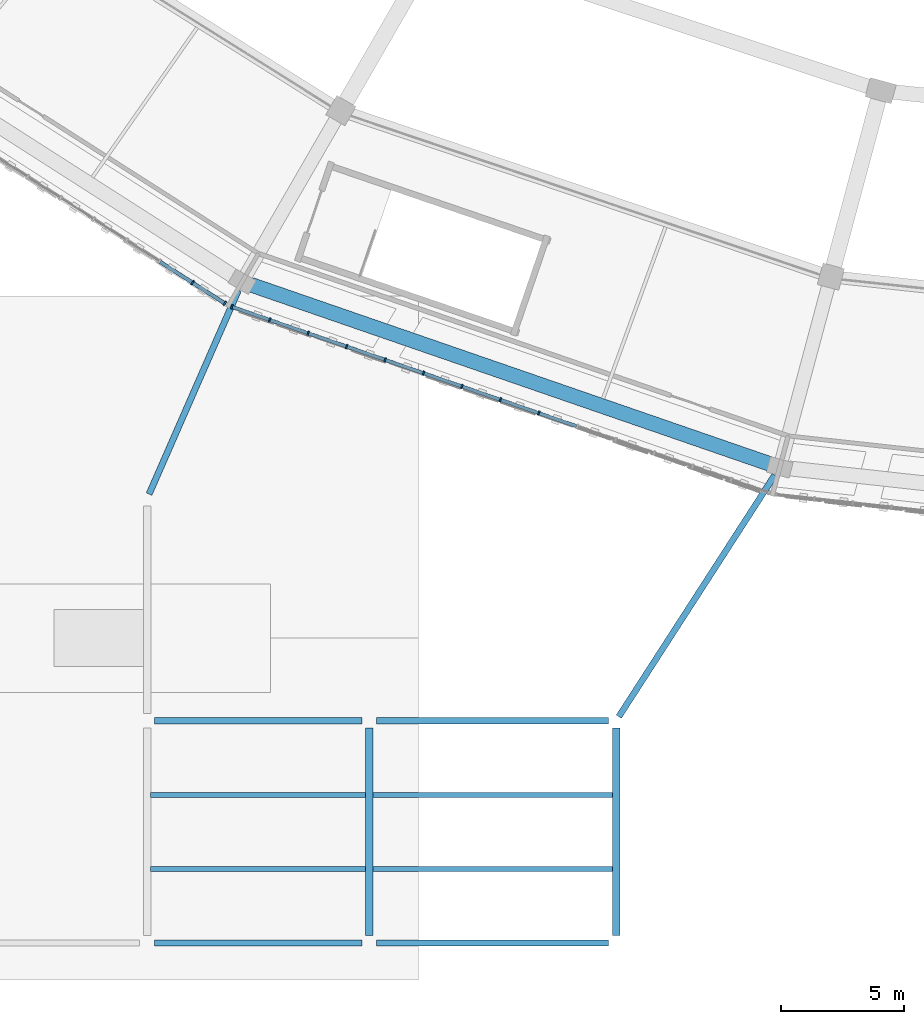
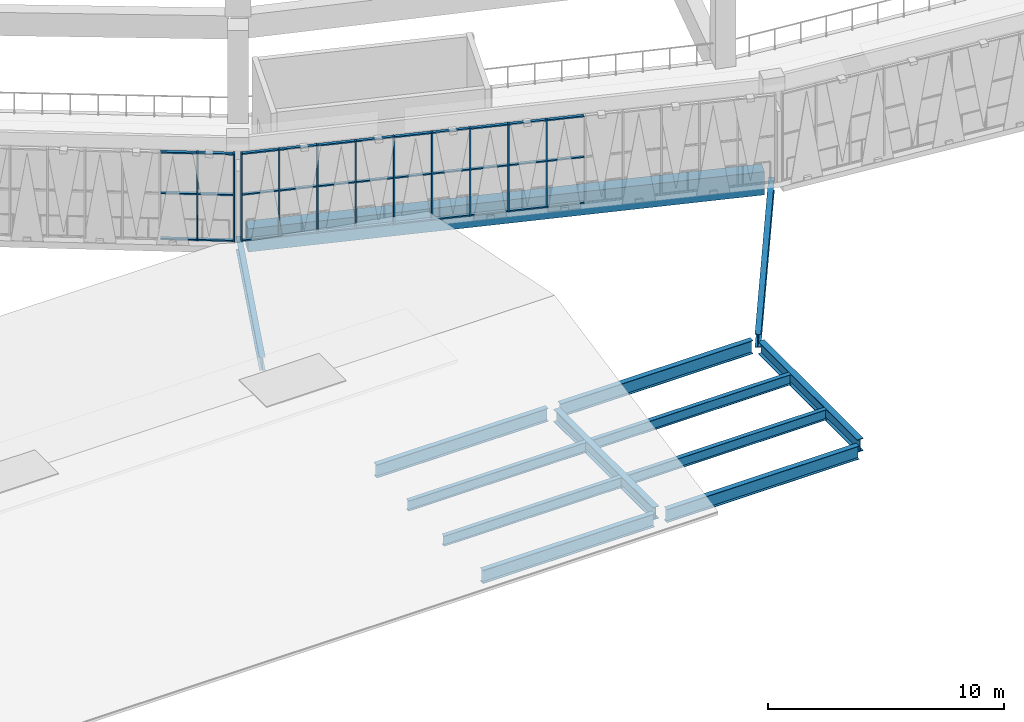
# One storey, part 7 of 108: 44 members, 13 beams, 2 elements without a shape of their own.
"""IFC4 building model written with IfcOpenShell, lengths in metres."""

from ifc_helpers import new_model, si_unit, direction, frame, origin, origin_2d, place, context, subcontext, project, spatial, rectangle, i_section, extrude, material, material_profile, profile_set, type_object, element, aggregate, save


model = new_model("IFC4")

# Units and contexts
model_context = context("Model", 3, precision=1e-05, world=origin(), true_north=direction((0.0, 1.0)))
body_context = subcontext(model_context, "Body", "Model", "MODEL_VIEW")
ifc_project = project(units=[si_unit("LENGTHUNIT", "METRE"), si_unit("AREAUNIT", "SQUARE_METRE"), si_unit("VOLUMEUNIT", "CUBIC_METRE"), si_unit("PLANEANGLEUNIT", "RADIAN"), si_unit("MASSUNIT", "GRAM", prefix="KILO")], contexts=[model_context])

# Site, building, storey
site_placement = place(None, origin())
site = spatial("IfcSite", under=ifc_project, at=site_placement, CompositionType="ELEMENT")
building_placement = place(site_placement, origin())
building = spatial("IfcBuilding", under=site, at=building_placement, Name="Zevraka Park Crest Stadium", CompositionType="ELEMENT")
storey_placement = place(building_placement, frame((0.0, 0.0, 19.800048828125)))
storey = spatial("IfcBuildingStorey", under=building, at=storey_placement, Name="L04", CompositionType="ELEMENT", Elevation=19.800048828125)

# Beams
ifc_material_1 = material(Name="Steel S355", Category="steel")
ifc_material_profile_1 = material_profile(ifc_material_1, i_section(OverallWidth=0.253662109375, OverallDepth=0.68359375, WebThickness=0.012451171875, FlangeThickness=0.01904296875, at=origin_2d()), Name="UKB 686x254x140")
ifc_profile_set_1 = profile_set([ifc_material_profile_1], Name="Steel S355")
beam_type_1 = type_object("IfcBeamType", Name="BG05", PredefinedType="BEAM", material=ifc_profile_set_1)
for number, where, z_axis, x_axis, name in (
    (1, (63.300048828125, 0.0, -0.60986328125), (1.0, 0.0, 0.0), (0.0, 1.0, 0.0), "Wing Girder BG05 L04-89/A"),
    (2, (63.300048828125, 9.0, -0.60986328125), (1.0, 0.0, 0.0), (0.0, 1.0, 0.0), "Wing Girder BG05 L04-89/B"),
):
    element("IfcBeam", number, at=place(storey_placement, frame(where, z_axis=z_axis, x_axis=x_axis)), inside=storey, type_object=beam_type_1, Name=name, PredefinedType="BEAM", context=body_context, shape_type="SweptSolid", body=[
        extrude(i_section(OverallWidth=0.253662109375, OverallDepth=0.68359375, WebThickness=0.012451171875, FlangeThickness=0.01904296875, at=origin_2d()), origin(), (0.0, 0.0, 1.0), 8.39990234375),
    ])
beam_1_placement = place(storey_placement, frame((63.080078125, 18.18310546875, -0.60986328125), z_axis=(0.401335913167, 0.915930938883, 0.0), x_axis=(-0.915930938883, 0.401335913167, 0.0)))
element("IfcBeam", 3, at=beam_1_placement, inside=storey, type_object=beam_type_1, Name="Wing Link Girder BG05 L04-8/C", PredefinedType="BEAM", context=body_context, shape_type="SweptSolid", body=[
    extrude(i_section(OverallWidth=0.253662109375, OverallDepth=0.68359375, WebThickness=0.012451171875, FlangeThickness=0.01904296875, at=origin_2d()), origin(), (0.0, 0.0, 1.0), 9.0146484375),
])
for number, where, z_axis, x_axis, name in (
    (4, (72.300048828125, 0.0, -0.60986328125), (1.0, 0.0, 0.0), (0.0, 1.0, 0.0), "Wing Girder BG05 L04-910/A"),
    (5, (72.300048828125, 9.0, -0.60986328125), (1.0, 0.0, 0.0), (0.0, 1.0, 0.0), "Wing Girder BG05 L04-910/B"),
):
    element("IfcBeam", number, at=place(storey_placement, frame(where, z_axis=z_axis, x_axis=x_axis)), inside=storey, type_object=beam_type_1, Name=name, PredefinedType="BEAM", context=body_context, shape_type="SweptSolid", body=[
        extrude(i_section(OverallWidth=0.253662109375, OverallDepth=0.68359375, WebThickness=0.012451171875, FlangeThickness=0.01904296875, at=origin_2d()), origin(), (0.0, 0.0, 1.0), 9.39990234375),
    ])
beam_2_placement = place(storey_placement, frame((82.10791015625, 9.16796875, -0.60986328125), z_axis=(0.542497990174, 0.840057099641, 0.0), x_axis=(-0.840057099641, 0.542497990174, 0.0)))
element("IfcBeam", 6, at=beam_2_placement, inside=storey, type_object=beam_type_1, Name="Wing Link Girder BG05 L04-10/B", PredefinedType="BEAM", context=body_context, shape_type="SweptSolid", body=[
    extrude(i_section(OverallWidth=0.253662109375, OverallDepth=0.68359375, WebThickness=0.012451171875, FlangeThickness=0.01904296875, at=origin_2d()), origin(), (0.0, 0.0, 1.0), 11.640869140625),
])
ifc_material_2 = material(Name="Steel S355", Category="steel")
ifc_material_profile_2 = material_profile(ifc_material_2, i_section(OverallWidth=0.300048828125, OverallDepth=0.64990234375, WebThickness=0.01611328125, FlangeThickness=0.031005859375, at=origin_2d()), Name="HEB 650")
ifc_profile_set_2 = profile_set([ifc_material_profile_2], Name="Steel S355")
beam_type_2 = type_object("IfcBeamType", Name="BG07", PredefinedType="BEAM", material=ifc_profile_set_2)
for number, where, z_axis, x_axis, name in (
    (7, (72.0, 0.300048828125, -0.593017578125), (0.0, 1.0, 0.0), (-1.0, 0.0, 0.0), "Wing Girder BG07 L04-9/AB"),
    (8, (82.0, 0.300048828125, -0.593017578125), (0.0, 1.0, 0.0), (-1.0, 0.0, 0.0), "Wing Girder BG07 L04-10/AB"),
):
    element("IfcBeam", number, at=place(storey_placement, frame(where, z_axis=z_axis, x_axis=x_axis)), inside=storey, type_object=beam_type_2, Name=name, PredefinedType="BEAM", context=body_context, shape_type="SweptSolid", body=[
        extrude(i_section(OverallWidth=0.300048828125, OverallDepth=0.64990234375, WebThickness=0.01611328125, FlangeThickness=0.031005859375, at=origin_2d()), origin(), (0.0, 0.0, 1.0), 8.39990234375),
    ])

# Curtain wall, members
ifc_material_3 = material(Name="Anodised architectural aluminium and laminated safety glass", Category="aluminium")
curtain_wall_type_1 = type_object("IfcCurtainWallType", Name="CW17", PredefinedType="NOTDEFINED", material=ifc_material_3)
curtain_wall_1_placement = place(storey_placement, origin())
curtain_wall_1 = element("IfcCurtainWall", 9, at=curtain_wall_1_placement, inside=storey, type_object=curtain_wall_type_1, Name="Unitised Ring Curtain Wall CW17 L04-16", PredefinedType="NOTDEFINED")
ifc_material_4 = material(Name="Anodised architectural aluminium", Category="aluminium")
ifc_material_profile_3 = material_profile(ifc_material_4, rectangle(XDim=0.179931640625, YDim=0.06494140625, at=origin_2d()), Name="ALU MULLION 180x65")
ifc_profile_set_3 = profile_set([ifc_material_profile_3], Name="Anodised architectural aluminium")
member_type_1 = type_object("IfcMemberType", Name="CM02", PredefinedType="MULLION", material=ifc_profile_set_3)
member_1_placement = place(storey_placement, frame((66.438720703125, 25.768310546875, 0.0), z_axis=(0.0, 0.0, 1.0), x_axis=(0.327244524523, 0.944939691816, 0.0)))
member_1 = element("IfcMember", 10, at=member_1_placement, type_object=member_type_1, Name="CW17 mullion 1", PredefinedType="MULLION", context=body_context, shape_type="SweptSolid", body=[
    extrude(rectangle(XDim=0.179931640625, YDim=0.06494140625, at=origin_2d()), origin(), (0.0, 0.0, 1.0), 4.5400390625),
])
member_2_placement = place(storey_placement, frame((67.96533203125, 25.23974609375, 0.0), z_axis=(0.0, 0.0, 1.0), x_axis=(0.327244524523, 0.944939691816, 0.0)))
member_2 = element("IfcMember", 11, at=member_2_placement, type_object=member_type_1, Name="CW17 mullion 2", PredefinedType="MULLION", context=body_context, shape_type="SweptSolid", body=[
    extrude(rectangle(XDim=0.179931640625, YDim=0.06494140625, at=origin_2d()), origin(), (0.0, 0.0, 1.0), 4.5400390625),
])
member_3_placement = place(storey_placement, frame((69.52294921875, 24.7001953125, 0.0), z_axis=(0.0, 0.0, 1.0), x_axis=(0.327244524523, 0.944939691816, 0.0)))
member_3 = element("IfcMember", 12, at=member_3_placement, type_object=member_type_1, Name="CW17 mullion 3", PredefinedType="MULLION", context=body_context, shape_type="SweptSolid", body=[
    extrude(rectangle(XDim=0.179931640625, YDim=0.06494140625, at=origin_2d()), origin(), (0.0, 0.0, 1.0), 4.5400390625),
])
member_4_placement = place(storey_placement, frame((71.080322265625, 24.160888671875, 0.0), z_axis=(0.0, 0.0, 1.0), x_axis=(0.327244524523, 0.944939691816, 0.0)))
member_4 = element("IfcMember", 13, at=member_4_placement, type_object=member_type_1, Name="CW17 mullion 4", PredefinedType="MULLION", context=body_context, shape_type="SweptSolid", body=[
    extrude(rectangle(XDim=0.179931640625, YDim=0.06494140625, at=origin_2d()), origin(), (0.0, 0.0, 1.0), 4.5400390625),
])
member_5_placement = place(storey_placement, frame((72.6376953125, 23.62158203125, 0.0), z_axis=(0.0, 0.0, 1.0), x_axis=(0.327244524523, 0.944939691816, 0.0)))
member_5 = element("IfcMember", 14, at=member_5_placement, type_object=member_type_1, Name="CW17 mullion 5", PredefinedType="MULLION", context=body_context, shape_type="SweptSolid", body=[
    extrude(rectangle(XDim=0.179931640625, YDim=0.06494140625, at=origin_2d()), origin(), (0.0, 0.0, 1.0), 4.5400390625),
])
member_6_placement = place(storey_placement, frame((74.195068359375, 23.082275390625, 0.0), z_axis=(0.0, 0.0, 1.0), x_axis=(0.327244524523, 0.944939691816, 0.0)))
member_6 = element("IfcMember", 15, at=member_6_placement, type_object=member_type_1, Name="CW17 mullion 6", PredefinedType="MULLION", context=body_context, shape_type="SweptSolid", body=[
    extrude(rectangle(XDim=0.179931640625, YDim=0.06494140625, at=origin_2d()), origin(), (0.0, 0.0, 1.0), 4.5400390625),
])
member_7_placement = place(storey_placement, frame((75.752685546875, 22.54296875, 0.0), z_axis=(0.0, 0.0, 1.0), x_axis=(0.327244524523, 0.944939691816, 0.0)))
member_7 = element("IfcMember", 16, at=member_7_placement, type_object=member_type_1, Name="CW17 mullion 7", PredefinedType="MULLION", context=body_context, shape_type="SweptSolid", body=[
    extrude(rectangle(XDim=0.179931640625, YDim=0.06494140625, at=origin_2d()), origin(), (0.0, 0.0, 1.0), 4.5400390625),
])
member_8_placement = place(storey_placement, frame((77.31005859375, 22.00341796875, 0.0), z_axis=(0.0, 0.0, 1.0), x_axis=(0.327244524523, 0.944939691816, 0.0)))
member_8 = element("IfcMember", 17, at=member_8_placement, type_object=member_type_1, Name="CW17 mullion 8", PredefinedType="MULLION", context=body_context, shape_type="SweptSolid", body=[
    extrude(rectangle(XDim=0.179931640625, YDim=0.06494140625, at=origin_2d()), origin(), (0.0, 0.0, 1.0), 4.5400390625),
])
member_9_placement = place(storey_placement, frame((78.867431640625, 21.464111328125, 0.0), z_axis=(0.0, 0.0, 1.0), x_axis=(0.327244524523, 0.944939691816, 0.0)))
member_9 = element("IfcMember", 18, at=member_9_placement, type_object=member_type_1, Name="CW17 mullion 9", PredefinedType="MULLION", context=body_context, shape_type="SweptSolid", body=[
    extrude(rectangle(XDim=0.179931640625, YDim=0.06494140625, at=origin_2d()), origin(), (0.0, 0.0, 1.0), 4.5400390625),
])

ifc_material_5 = material(Name="Anodised architectural aluminium and laminated safety glass", Category="aluminium")
curtain_wall_type_2 = type_object("IfcCurtainWallType", Name="CW18", PredefinedType="NOTDEFINED", material=ifc_material_5)
curtain_wall_2_placement = place(storey_placement, origin())
curtain_wall_2 = element("IfcCurtainWall", 19, at=curtain_wall_2_placement, inside=storey, type_object=curtain_wall_type_2, Name="Unitised Ring Curtain Wall CW18 L04-15", PredefinedType="NOTDEFINED")
ifc_material_6 = material(Name="Anodised architectural aluminium", Category="aluminium")
ifc_material_profile_4 = material_profile(ifc_material_6, rectangle(XDim=0.199951171875, YDim=0.070068359375, at=origin_2d()), Name="ALU MULLION 200x70")
ifc_profile_set_4 = profile_set([ifc_material_profile_4], Name="Anodised architectural aluminium")
member_type_2 = type_object("IfcMemberType", Name="CM03", PredefinedType="MULLION", material=ifc_profile_set_4)
member_10_placement = place(storey_placement, frame((64.83837890625, 26.74951171875, 0.0), z_axis=(0.0, 0.0, 1.0), x_axis=(0.539979944029, 0.841677883781, 0.0)))
member_10 = element("IfcMember", 20, at=member_10_placement, type_object=member_type_2, Name="CW18 mullion 14", PredefinedType="MULLION", context=body_context, shape_type="SweptSolid", body=[
    extrude(rectangle(XDim=0.199951171875, YDim=0.070068359375, at=origin_2d()), origin(), (0.0, 0.0, 1.0), 4.5400390625),
])
member_11_placement = place(storey_placement, frame((66.1455078125, 25.910888671875, 0.0), z_axis=(0.0, 0.0, 1.0), x_axis=(0.539979944029, 0.841677883781, 0.0)))
member_11 = element("IfcMember", 21, at=member_11_placement, type_object=member_type_2, Name="CW18 mullion 15", PredefinedType="MULLION", context=body_context, shape_type="SweptSolid", body=[
    extrude(rectangle(XDim=0.199951171875, YDim=0.070068359375, at=origin_2d()), origin(), (0.0, 0.0, 1.0), 4.5400390625),
])

# Member
ifc_material_7 = material(Name="Anodised architectural aluminium", Category="aluminium")
ifc_material_profile_5 = material_profile(ifc_material_7, rectangle(XDim=0.139892578125, YDim=0.06494140625, at=origin_2d()), Name="ALU TRANSOM 140x65")
ifc_profile_set_5 = profile_set([ifc_material_profile_5], Name="Anodised architectural aluminium")
member_type_3 = type_object("IfcMemberType", Name="CT02", PredefinedType="USERDEFINED", material=ifc_profile_set_5)
member_12_placement = place(storey_placement, frame((66.469482421875, 25.7578125, 0.032470703125), z_axis=(0.944918670821, -0.3273052177, 0.0), x_axis=(0.3273052177, 0.944918670821, 0.0)))
member_12 = element("IfcMember", 22, at=member_12_placement, type_object=member_type_3, Name="CW17 transom 1.1", ObjectType="TRANSOM", PredefinedType="USERDEFINED", context=body_context, shape_type="SweptSolid", body=[
    extrude(rectangle(XDim=0.139892578125, YDim=0.06494140625, at=origin_2d()), origin(), (0.0, 0.0, 1.0), 1.55078125),
])

member_13_placement = place(storey_placement, frame((66.469482421875, 25.7578125, 2.39990234375), z_axis=(0.944918670821, -0.3273052177, 0.0), x_axis=(0.3273052177, 0.944918670821, 0.0)))
member_13 = element("IfcMember", 23, at=member_13_placement, type_object=member_type_3, Name="CW17 transom 1.2", ObjectType="TRANSOM", PredefinedType="USERDEFINED", context=body_context, shape_type="SweptSolid", body=[
    extrude(rectangle(XDim=0.139892578125, YDim=0.06494140625, at=origin_2d()), origin(), (0.0, 0.0, 1.0), 1.55078125),
])

member_14_placement = place(storey_placement, frame((66.469482421875, 25.7578125, 4.507568359375), z_axis=(0.944918670821, -0.3273052177, 0.0), x_axis=(0.3273052177, 0.944918670821, 0.0)))
member_14 = element("IfcMember", 24, at=member_14_placement, type_object=member_type_3, Name="CW17 transom 1.3", ObjectType="TRANSOM", PredefinedType="USERDEFINED", context=body_context, shape_type="SweptSolid", body=[
    extrude(rectangle(XDim=0.139892578125, YDim=0.06494140625, at=origin_2d()), origin(), (0.0, 0.0, 1.0), 1.55078125),
])

member_15_placement = place(storey_placement, frame((67.99609375, 25.22900390625, 0.032470703125), z_axis=(0.94494940126, -0.327216486533, 0.0), x_axis=(0.327216486533, 0.94494940126, 0.0)))
member_15 = element("IfcMember", 25, at=member_15_placement, type_object=member_type_3, Name="CW17 transom 2.1", ObjectType="TRANSOM", PredefinedType="USERDEFINED", context=body_context, shape_type="SweptSolid", body=[
    extrude(rectangle(XDim=0.139892578125, YDim=0.06494140625, at=origin_2d()), origin(), (0.0, 0.0, 1.0), 1.583251953125),
])

member_16_placement = place(storey_placement, frame((67.99609375, 25.22900390625, 2.39990234375), z_axis=(0.94494940126, -0.327216486533, 0.0), x_axis=(0.327216486533, 0.94494940126, 0.0)))
member_16 = element("IfcMember", 26, at=member_16_placement, type_object=member_type_3, Name="CW17 transom 2.2", ObjectType="TRANSOM", PredefinedType="USERDEFINED", context=body_context, shape_type="SweptSolid", body=[
    extrude(rectangle(XDim=0.139892578125, YDim=0.06494140625, at=origin_2d()), origin(), (0.0, 0.0, 1.0), 1.583251953125),
])

member_17_placement = place(storey_placement, frame((67.99609375, 25.22900390625, 4.507568359375), z_axis=(0.94494940126, -0.327216486533, 0.0), x_axis=(0.327216486533, 0.94494940126, 0.0)))
member_17 = element("IfcMember", 27, at=member_17_placement, type_object=member_type_3, Name="CW17 transom 2.3", ObjectType="TRANSOM", PredefinedType="USERDEFINED", context=body_context, shape_type="SweptSolid", body=[
    extrude(rectangle(XDim=0.139892578125, YDim=0.06494140625, at=origin_2d()), origin(), (0.0, 0.0, 1.0), 1.583251953125),
])

member_18_placement = place(storey_placement, frame((69.553466796875, 24.689697265625, 0.032470703125), z_axis=(0.94494940126, -0.327216486533, 0.0), x_axis=(0.327216486533, 0.94494940126, 0.0)))
member_18 = element("IfcMember", 28, at=member_18_placement, type_object=member_type_3, Name="CW17 transom 3.1", ObjectType="TRANSOM", PredefinedType="USERDEFINED", context=body_context, shape_type="SweptSolid", body=[
    extrude(rectangle(XDim=0.139892578125, YDim=0.06494140625, at=origin_2d()), origin(), (0.0, 0.0, 1.0), 1.583251953125),
])

member_19_placement = place(storey_placement, frame((69.553466796875, 24.689697265625, 2.39990234375), z_axis=(0.94494940126, -0.327216486533, 0.0), x_axis=(0.327216486533, 0.94494940126, 0.0)))
member_19 = element("IfcMember", 29, at=member_19_placement, type_object=member_type_3, Name="CW17 transom 3.2", ObjectType="TRANSOM", PredefinedType="USERDEFINED", context=body_context, shape_type="SweptSolid", body=[
    extrude(rectangle(XDim=0.139892578125, YDim=0.06494140625, at=origin_2d()), origin(), (0.0, 0.0, 1.0), 1.583251953125),
])

member_20_placement = place(storey_placement, frame((69.553466796875, 24.689697265625, 4.507568359375), z_axis=(0.94494940126, -0.327216486533, 0.0), x_axis=(0.327216486533, 0.94494940126, 0.0)))
member_20 = element("IfcMember", 30, at=member_20_placement, type_object=member_type_3, Name="CW17 transom 3.3", ObjectType="TRANSOM", PredefinedType="USERDEFINED", context=body_context, shape_type="SweptSolid", body=[
    extrude(rectangle(XDim=0.139892578125, YDim=0.06494140625, at=origin_2d()), origin(), (0.0, 0.0, 1.0), 1.583251953125),
])

member_21_placement = place(storey_placement, frame((71.111083984375, 24.150390625, 0.032470703125), z_axis=(0.944932887153, -0.327264172766, 0.0), x_axis=(0.327264172766, 0.944932887153, 0.0)))
member_21 = element("IfcMember", 31, at=member_21_placement, type_object=member_type_3, Name="CW17 transom 4.1", ObjectType="TRANSOM", PredefinedType="USERDEFINED", context=body_context, shape_type="SweptSolid", body=[
    extrude(rectangle(XDim=0.139892578125, YDim=0.06494140625, at=origin_2d()), origin(), (0.0, 0.0, 1.0), 1.5830078125),
])

member_22_placement = place(storey_placement, frame((71.111083984375, 24.150390625, 2.39990234375), z_axis=(0.944932887153, -0.327264172766, 0.0), x_axis=(0.327264172766, 0.944932887153, 0.0)))
member_22 = element("IfcMember", 32, at=member_22_placement, type_object=member_type_3, Name="CW17 transom 4.2", ObjectType="TRANSOM", PredefinedType="USERDEFINED", context=body_context, shape_type="SweptSolid", body=[
    extrude(rectangle(XDim=0.139892578125, YDim=0.06494140625, at=origin_2d()), origin(), (0.0, 0.0, 1.0), 1.5830078125),
])

member_23_placement = place(storey_placement, frame((71.111083984375, 24.150390625, 4.507568359375), z_axis=(0.944932887153, -0.327264172766, 0.0), x_axis=(0.327264172766, 0.944932887153, 0.0)))
member_23 = element("IfcMember", 33, at=member_23_placement, type_object=member_type_3, Name="CW17 transom 4.3", ObjectType="TRANSOM", PredefinedType="USERDEFINED", context=body_context, shape_type="SweptSolid", body=[
    extrude(rectangle(XDim=0.139892578125, YDim=0.06494140625, at=origin_2d()), origin(), (0.0, 0.0, 1.0), 1.5830078125),
])

member_24_placement = place(storey_placement, frame((72.66845703125, 23.61083984375, 0.032470703125), z_axis=(0.94494940126, -0.327216486533, 0.0), x_axis=(0.327216486533, 0.94494940126, 0.0)))
member_24 = element("IfcMember", 34, at=member_24_placement, type_object=member_type_3, Name="CW17 transom 5.1", ObjectType="TRANSOM", PredefinedType="USERDEFINED", context=body_context, shape_type="SweptSolid", body=[
    extrude(rectangle(XDim=0.139892578125, YDim=0.06494140625, at=origin_2d()), origin(), (0.0, 0.0, 1.0), 1.583251953125),
])

member_25_placement = place(storey_placement, frame((72.66845703125, 23.61083984375, 2.39990234375), z_axis=(0.94494940126, -0.327216486533, 0.0), x_axis=(0.327216486533, 0.94494940126, 0.0)))
member_25 = element("IfcMember", 35, at=member_25_placement, type_object=member_type_3, Name="CW17 transom 5.2", ObjectType="TRANSOM", PredefinedType="USERDEFINED", context=body_context, shape_type="SweptSolid", body=[
    extrude(rectangle(XDim=0.139892578125, YDim=0.06494140625, at=origin_2d()), origin(), (0.0, 0.0, 1.0), 1.583251953125),
])

member_26_placement = place(storey_placement, frame((72.66845703125, 23.61083984375, 4.507568359375), z_axis=(0.94494940126, -0.327216486533, 0.0), x_axis=(0.327216486533, 0.94494940126, 0.0)))
member_26 = element("IfcMember", 36, at=member_26_placement, type_object=member_type_3, Name="CW17 transom 5.3", ObjectType="TRANSOM", PredefinedType="USERDEFINED", context=body_context, shape_type="SweptSolid", body=[
    extrude(rectangle(XDim=0.139892578125, YDim=0.06494140625, at=origin_2d()), origin(), (0.0, 0.0, 1.0), 1.583251953125),
])

member_27_placement = place(storey_placement, frame((74.225830078125, 23.071533203125, 0.032470703125), z_axis=(0.94494940126, -0.327216486533, 0.0), x_axis=(0.327216486533, 0.94494940126, 0.0)))
member_27 = element("IfcMember", 37, at=member_27_placement, type_object=member_type_3, Name="CW17 transom 6.1", ObjectType="TRANSOM", PredefinedType="USERDEFINED", context=body_context, shape_type="SweptSolid", body=[
    extrude(rectangle(XDim=0.139892578125, YDim=0.06494140625, at=origin_2d()), origin(), (0.0, 0.0, 1.0), 1.583251953125),
])

member_28_placement = place(storey_placement, frame((74.225830078125, 23.071533203125, 2.39990234375), z_axis=(0.94494940126, -0.327216486533, 0.0), x_axis=(0.327216486533, 0.94494940126, 0.0)))
member_28 = element("IfcMember", 38, at=member_28_placement, type_object=member_type_3, Name="CW17 transom 6.2", ObjectType="TRANSOM", PredefinedType="USERDEFINED", context=body_context, shape_type="SweptSolid", body=[
    extrude(rectangle(XDim=0.139892578125, YDim=0.06494140625, at=origin_2d()), origin(), (0.0, 0.0, 1.0), 1.583251953125),
])

member_29_placement = place(storey_placement, frame((74.225830078125, 23.071533203125, 4.507568359375), z_axis=(0.94494940126, -0.327216486533, 0.0), x_axis=(0.327216486533, 0.94494940126, 0.0)))
member_29 = element("IfcMember", 39, at=member_29_placement, type_object=member_type_3, Name="CW17 transom 6.3", ObjectType="TRANSOM", PredefinedType="USERDEFINED", context=body_context, shape_type="SweptSolid", body=[
    extrude(rectangle(XDim=0.139892578125, YDim=0.06494140625, at=origin_2d()), origin(), (0.0, 0.0, 1.0), 1.583251953125),
])

member_30_placement = place(storey_placement, frame((75.783203125, 22.5322265625, 0.032470703125), z_axis=(0.94494940126, -0.327216486533, 0.0), x_axis=(0.327216486533, 0.94494940126, 0.0)))
member_30 = element("IfcMember", 40, at=member_30_placement, type_object=member_type_3, Name="CW17 transom 7.1", ObjectType="TRANSOM", PredefinedType="USERDEFINED", context=body_context, shape_type="SweptSolid", body=[
    extrude(rectangle(XDim=0.139892578125, YDim=0.06494140625, at=origin_2d()), origin(), (0.0, 0.0, 1.0), 1.583251953125),
])

member_31_placement = place(storey_placement, frame((75.783203125, 22.5322265625, 2.39990234375), z_axis=(0.94494940126, -0.327216486533, 0.0), x_axis=(0.327216486533, 0.94494940126, 0.0)))
member_31 = element("IfcMember", 41, at=member_31_placement, type_object=member_type_3, Name="CW17 transom 7.2", ObjectType="TRANSOM", PredefinedType="USERDEFINED", context=body_context, shape_type="SweptSolid", body=[
    extrude(rectangle(XDim=0.139892578125, YDim=0.06494140625, at=origin_2d()), origin(), (0.0, 0.0, 1.0), 1.583251953125),
])

member_32_placement = place(storey_placement, frame((75.783203125, 22.5322265625, 4.507568359375), z_axis=(0.94494940126, -0.327216486533, 0.0), x_axis=(0.327216486533, 0.94494940126, 0.0)))
member_32 = element("IfcMember", 42, at=member_32_placement, type_object=member_type_3, Name="CW17 transom 7.3", ObjectType="TRANSOM", PredefinedType="USERDEFINED", context=body_context, shape_type="SweptSolid", body=[
    extrude(rectangle(XDim=0.139892578125, YDim=0.06494140625, at=origin_2d()), origin(), (0.0, 0.0, 1.0), 1.583251953125),
])

member_33_placement = place(storey_placement, frame((77.3408203125, 21.992919921875, 0.032470703125), z_axis=(0.944932887153, -0.327264172766, 0.0), x_axis=(0.327264172766, 0.944932887153, 0.0)))
member_33 = element("IfcMember", 43, at=member_33_placement, type_object=member_type_3, Name="CW17 transom 8.1", ObjectType="TRANSOM", PredefinedType="USERDEFINED", context=body_context, shape_type="SweptSolid", body=[
    extrude(rectangle(XDim=0.139892578125, YDim=0.06494140625, at=origin_2d()), origin(), (0.0, 0.0, 1.0), 1.5830078125),
])

member_34_placement = place(storey_placement, frame((77.3408203125, 21.992919921875, 2.39990234375), z_axis=(0.944932887153, -0.327264172766, 0.0), x_axis=(0.327264172766, 0.944932887153, 0.0)))
member_34 = element("IfcMember", 44, at=member_34_placement, type_object=member_type_3, Name="CW17 transom 8.2", ObjectType="TRANSOM", PredefinedType="USERDEFINED", context=body_context, shape_type="SweptSolid", body=[
    extrude(rectangle(XDim=0.139892578125, YDim=0.06494140625, at=origin_2d()), origin(), (0.0, 0.0, 1.0), 1.5830078125),
])

member_35_placement = place(storey_placement, frame((77.3408203125, 21.992919921875, 4.507568359375), z_axis=(0.944932887153, -0.327264172766, 0.0), x_axis=(0.327264172766, 0.944932887153, 0.0)))
member_35 = element("IfcMember", 45, at=member_35_placement, type_object=member_type_3, Name="CW17 transom 8.3", ObjectType="TRANSOM", PredefinedType="USERDEFINED", context=body_context, shape_type="SweptSolid", body=[
    extrude(rectangle(XDim=0.139892578125, YDim=0.06494140625, at=origin_2d()), origin(), (0.0, 0.0, 1.0), 1.5830078125),
])

member_36_placement = place(storey_placement, frame((78.898193359375, 21.45361328125, 0.032470703125), z_axis=(0.944885186761, -0.327401869021, 0.0), x_axis=(0.327401869021, 0.944885186761, 0.0)))
member_36 = element("IfcMember", 46, at=member_36_placement, type_object=member_type_3, Name="CW17 transom 9.1", ObjectType="TRANSOM", PredefinedType="USERDEFINED", context=body_context, shape_type="SweptSolid", body=[
    extrude(rectangle(XDim=0.139892578125, YDim=0.06494140625, at=origin_2d()), origin(), (0.0, 0.0, 1.0), 1.5830078125),
])

member_37_placement = place(storey_placement, frame((78.898193359375, 21.45361328125, 2.39990234375), z_axis=(0.944885186761, -0.327401869021, 0.0), x_axis=(0.327401869021, 0.944885186761, 0.0)))
member_37 = element("IfcMember", 47, at=member_37_placement, type_object=member_type_3, Name="CW17 transom 9.2", ObjectType="TRANSOM", PredefinedType="USERDEFINED", context=body_context, shape_type="SweptSolid", body=[
    extrude(rectangle(XDim=0.139892578125, YDim=0.06494140625, at=origin_2d()), origin(), (0.0, 0.0, 1.0), 1.5830078125),
])

member_38_placement = place(storey_placement, frame((78.898193359375, 21.45361328125, 4.507568359375), z_axis=(0.944885186761, -0.327401869021, 0.0), x_axis=(0.327401869021, 0.944885186761, 0.0)))
member_38 = element("IfcMember", 48, at=member_38_placement, type_object=member_type_3, Name="CW17 transom 9.3", ObjectType="TRANSOM", PredefinedType="USERDEFINED", context=body_context, shape_type="SweptSolid", body=[
    extrude(rectangle(XDim=0.139892578125, YDim=0.06494140625, at=origin_2d()), origin(), (0.0, 0.0, 1.0), 1.5830078125),
])

aggregate(curtain_wall_1, [member_1, member_2, member_3, member_4, member_5, member_6, member_7, member_8, member_9, member_12, member_13, member_14, member_15, member_16, member_17, member_18, member_19, member_20, member_21, member_22, member_23, member_24, member_25, member_26, member_27, member_28, member_29, member_30, member_31, member_32, member_33, member_34, member_35, member_36, member_37, member_38])

ifc_material_8 = material(Name="Anodised architectural aluminium", Category="aluminium")
ifc_material_profile_6 = material_profile(ifc_material_8, rectangle(XDim=0.14990234375, YDim=0.070068359375, at=origin_2d()), Name="ALU TRANSOM 150x70")
ifc_profile_set_6 = profile_set([ifc_material_profile_6], Name="Anodised architectural aluminium")
member_type_4 = type_object("IfcMemberType", Name="CT03", PredefinedType="USERDEFINED", material=ifc_profile_set_6)
member_39_placement = place(storey_placement, frame((63.531005859375, 27.588134765625, 0.034912109375), z_axis=(0.841742345783, -0.539879452578, 0.0), x_axis=(0.539879452578, 0.841742345783, 0.0)))
member_39 = element("IfcMember", 49, at=member_39_placement, type_object=member_type_4, Name="CW18 transom 13.1", ObjectType="TRANSOM", PredefinedType="USERDEFINED", context=body_context, shape_type="SweptSolid", body=[
    extrude(rectangle(XDim=0.14990234375, YDim=0.070068359375, at=origin_2d()), origin(), (0.0, 0.0, 1.0), 1.51806640625),
])

member_40_placement = place(storey_placement, frame((63.531005859375, 27.588134765625, 2.39990234375), z_axis=(0.841742345783, -0.539879452578, 0.0), x_axis=(0.539879452578, 0.841742345783, 0.0)))
member_40 = element("IfcMember", 50, at=member_40_placement, type_object=member_type_4, Name="CW18 transom 13.2", ObjectType="TRANSOM", PredefinedType="USERDEFINED", context=body_context, shape_type="SweptSolid", body=[
    extrude(rectangle(XDim=0.14990234375, YDim=0.070068359375, at=origin_2d()), origin(), (0.0, 0.0, 1.0), 1.51806640625),
])

member_41_placement = place(storey_placement, frame((63.531005859375, 27.588134765625, 4.5048828125), z_axis=(0.841742345783, -0.539879452578, 0.0), x_axis=(0.539879452578, 0.841742345783, 0.0)))
member_41 = element("IfcMember", 51, at=member_41_placement, type_object=member_type_4, Name="CW18 transom 13.3", ObjectType="TRANSOM", PredefinedType="USERDEFINED", context=body_context, shape_type="SweptSolid", body=[
    extrude(rectangle(XDim=0.14990234375, YDim=0.070068359375, at=origin_2d()), origin(), (0.0, 0.0, 1.0), 1.51806640625),
])

member_42_placement = place(storey_placement, frame((64.86767578125, 26.730712890625, 0.034912109375), z_axis=(0.84162208892, -0.540066902747, 0.0), x_axis=(0.540066902747, 0.84162208892, 0.0)))
member_42 = element("IfcMember", 52, at=member_42_placement, type_object=member_type_4, Name="CW18 transom 14.1", ObjectType="TRANSOM", PredefinedType="USERDEFINED", context=body_context, shape_type="SweptSolid", body=[
    extrude(rectangle(XDim=0.14990234375, YDim=0.070068359375, at=origin_2d()), origin(), (0.0, 0.0, 1.0), 1.483154296875),
])

member_43_placement = place(storey_placement, frame((64.86767578125, 26.730712890625, 2.39990234375), z_axis=(0.84162208892, -0.540066902747, 0.0), x_axis=(0.540066902747, 0.84162208892, 0.0)))
member_43 = element("IfcMember", 53, at=member_43_placement, type_object=member_type_4, Name="CW18 transom 14.2", ObjectType="TRANSOM", PredefinedType="USERDEFINED", context=body_context, shape_type="SweptSolid", body=[
    extrude(rectangle(XDim=0.14990234375, YDim=0.070068359375, at=origin_2d()), origin(), (0.0, 0.0, 1.0), 1.483154296875),
])

member_44_placement = place(storey_placement, frame((64.86767578125, 26.730712890625, 4.5048828125), z_axis=(0.84162208892, -0.540066902747, 0.0), x_axis=(0.540066902747, 0.84162208892, 0.0)))
member_44 = element("IfcMember", 54, at=member_44_placement, type_object=member_type_4, Name="CW18 transom 14.3", ObjectType="TRANSOM", PredefinedType="USERDEFINED", context=body_context, shape_type="SweptSolid", body=[
    extrude(rectangle(XDim=0.14990234375, YDim=0.070068359375, at=origin_2d()), origin(), (0.0, 0.0, 1.0), 1.483154296875),
])

aggregate(curtain_wall_2, [member_10, member_11, member_39, member_40, member_41, member_42, member_43, member_44])

# Beams
ifc_material_9 = material(Name="Concrete C40/50", Category="concrete")
ifc_material_profile_7 = material_profile(ifc_material_9, rectangle(XDim=0.60009765625, YDim=1.199951171875, at=origin_2d()), Name="RC 1200x600")
ifc_profile_set_7 = profile_set([ifc_material_profile_7], Name="Concrete C40/50")
beam_type_3 = type_object("IfcBeamType", Name="RB01", PredefinedType="BEAM", material=ifc_profile_set_7)
beam_3_placement = place(storey_placement, frame((67.208984375, 26.6640625, -0.610107421875), z_axis=(0.945210431582, -0.326461697644, 0.0), x_axis=(0.326461697644, 0.945210431582, 0.0)))
element("IfcBeam", 55, at=beam_3_placement, inside=storey, type_object=beam_type_3, Name="Ring Beam RB01 L04-D-16", PredefinedType="BEAM", context=body_context, shape_type="SweptSolid", body=[
    extrude(rectangle(XDim=0.60009765625, YDim=1.199951171875, at=origin_2d()), origin(), (0.0, 0.0, 1.0), 22.28173828125),
])
ifc_material_10 = material(Name="Steel S355", Category="steel")
ifc_material_profile_8 = material_profile(ifc_material_10, i_section(OverallWidth=0.209228515625, OverallDepth=0.533203125, WebThickness=0.010009765625, FlangeThickness=0.015625, at=origin_2d()), Name="UKB 533x210x92")
ifc_profile_set_8 = profile_set([ifc_material_profile_8], Name="Steel S355")
beam_type_4 = type_object("IfcBeamType", Name="SJ05", PredefinedType="JOIST", material=ifc_profile_set_8)
for number, where, z_axis, x_axis, name in (
    (56, (63.14501953125, 3.0, -0.53662109375), (1.0, 0.0, 0.0), (0.0, 1.0, 0.0), "Wing Joist SJ05 L04-8/A-1"),
    (57, (63.14501953125, 6.0, -0.53662109375), (1.0, 0.0, 0.0), (0.0, 1.0, 0.0), "Wing Joist SJ05 L04-8/A-2"),
):
    element("IfcBeam", number, at=place(storey_placement, frame(where, z_axis=z_axis, x_axis=x_axis)), inside=storey, type_object=beam_type_4, Name=name, PredefinedType="JOIST", context=body_context, shape_type="SweptSolid", body=[
        extrude(i_section(OverallWidth=0.209228515625, OverallDepth=0.533203125, WebThickness=0.010009765625, FlangeThickness=0.015625, at=origin_2d()), origin(), (0.0, 0.0, 1.0), 8.7099609375),
    ])
for number, where, z_axis, x_axis, name in (
    (58, (72.14501953125, 3.0, -0.53662109375), (1.0, 0.0, 0.0), (0.0, 1.0, 0.0), "Wing Joist SJ05 L04-9/A-1"),
    (59, (72.14501953125, 6.0, -0.53662109375), (1.0, 0.0, 0.0), (0.0, 1.0, 0.0), "Wing Joist SJ05 L04-9/A-2"),
):
    element("IfcBeam", number, at=place(storey_placement, frame(where, z_axis=z_axis, x_axis=x_axis)), inside=storey, type_object=beam_type_4, Name=name, PredefinedType="JOIST", context=body_context, shape_type="SweptSolid", body=[
        extrude(i_section(OverallWidth=0.209228515625, OverallDepth=0.533203125, WebThickness=0.010009765625, FlangeThickness=0.015625, at=origin_2d()), origin(), (0.0, 0.0, 1.0), 9.7099609375),
    ])

save(model, "model.ifc")
